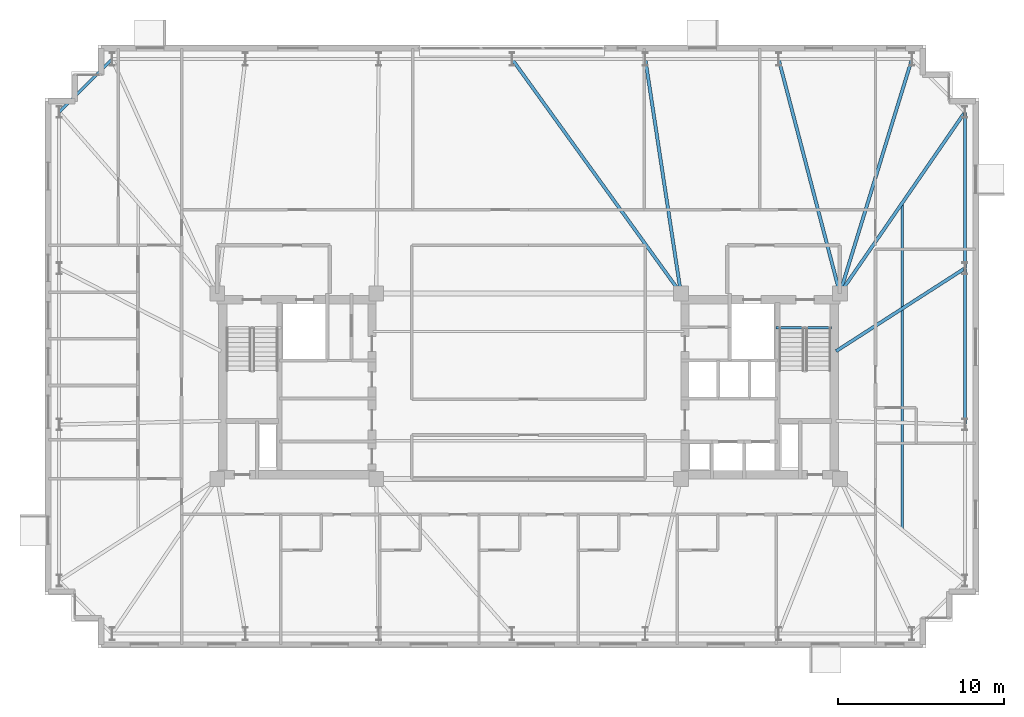
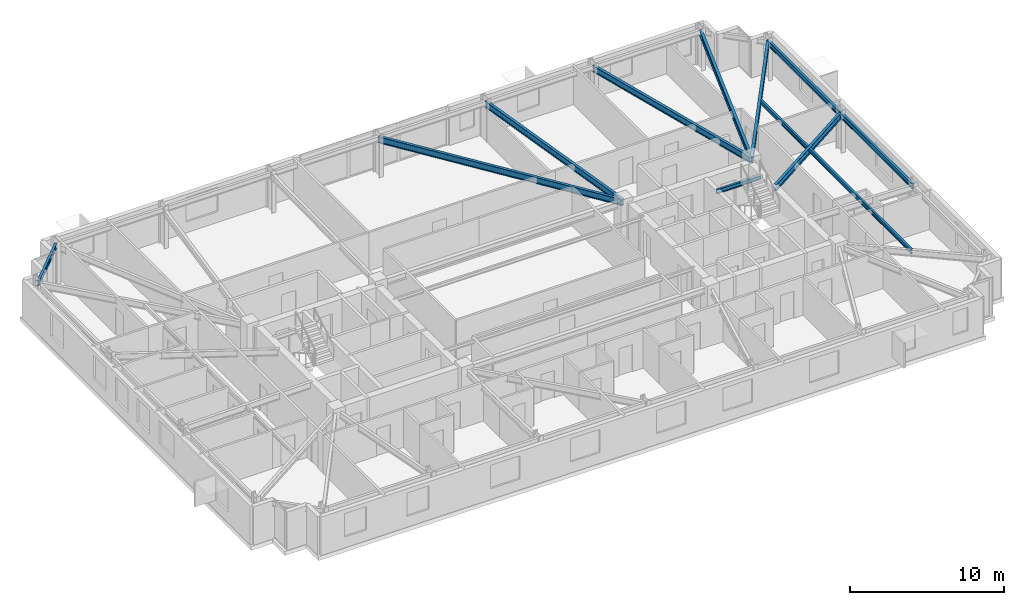
# One storey, part 6 of 18: 11 beams.
"""IFC4 building model written with IfcOpenShell, lengths in metres."""

from ifc_helpers import new_model, si_unit, direction, frame, origin, origin_2d, place, context, subcontext, project, spatial, i_section, extrude, material, material_profile, profile_set, type_object, element, save


model = new_model("IFC4")

# Units and contexts
model_context = context("Model", 3, precision=1e-05, world=origin(), true_north=direction((0.0, 1.0)))
body_context = subcontext(model_context, "Body", "Model", "MODEL_VIEW")
ifc_project = project(units=[si_unit("LENGTHUNIT", "METRE"), si_unit("AREAUNIT", "SQUARE_METRE"), si_unit("VOLUMEUNIT", "CUBIC_METRE"), si_unit("PLANEANGLEUNIT", "RADIAN"), si_unit("MASSUNIT", "GRAM", prefix="KILO")], contexts=[model_context])

# Site, building, storey
site_placement = place(None, origin())
site = spatial("IfcSite", under=ifc_project, at=site_placement, CompositionType="ELEMENT")
building_placement = place(site_placement, origin())
building = spatial("IfcBuilding", under=site, at=building_placement, Name="Qobustan Lattice House", CompositionType="ELEMENT")
storey_placement = place(building_placement, frame((0.0, 0.0, 154.449951171875)))
storey = spatial("IfcBuildingStorey", under=building, at=storey_placement, Name="L43", CompositionType="ELEMENT", Elevation=154.449951171875)

# Beams
ifc_material_1 = material(Name="Steel S355", Category="steel")
ifc_material_profile_1 = material_profile(ifc_material_1, i_section(OverallWidth=0.199951171875, OverallDepth=0.5, WebThickness=0.01025390625, FlangeThickness=0.01611328125, FilletRadius=0.02099609375, at=origin_2d()), Name="IPE500")
ifc_profile_set_1 = profile_set([ifc_material_profile_1], Name="Steel S355")
beam_type_1 = type_object("IfcBeamType", Name="BM-FLG-IPE500", PredefinedType="USERDEFINED", material=ifc_profile_set_1)
beam_1_placement = place(storey_placement, frame((-0.9853515625, 19.729736328125, 2.7900390625), z_axis=(0.584755393146, -0.811209670916, 0.0), x_axis=(0.811209670916, 0.584755393146, 0.0)))
element("IfcBeam", 1, at=beam_1_placement, inside=storey, type_object=beam_type_1, Name="L43 primary floor girder RAD-N4", ObjectType="GIRDER", PredefinedType="USERDEFINED", context=body_context, shape_type="SweptSolid", body=[
    extrude(i_section(OverallWidth=0.199951171875, OverallDepth=0.5, WebThickness=0.01025390625, FlangeThickness=0.01611328125, FilletRadius=0.02099609375, at=origin_2d()), origin(), (0.0, 0.0, 1.0), 17.39306640625),
])
beam_2_placement = place(storey_placement, frame((7.0537109375, 19.725341796875, 2.7900390625), z_axis=(0.150225226731, -0.988651799803, 0.0), x_axis=(0.988651799803, 0.150225226731, 0.0)))
element("IfcBeam", 2, at=beam_2_placement, inside=storey, type_object=beam_type_1, Name="L43 primary floor girder RAD-N3", ObjectType="GIRDER", PredefinedType="USERDEFINED", context=body_context, shape_type="SweptSolid", body=[
    extrude(i_section(OverallWidth=0.199951171875, OverallDepth=0.5, WebThickness=0.01025390625, FlangeThickness=0.01611328125, FilletRadius=0.02099609375, at=origin_2d()), origin(), (0.0, 0.0, 1.0), 14.262451171875),
])
beam_3_placement = place(storey_placement, frame((15.106201171875, 19.725830078125, 2.7900390625), z_axis=(0.252989153576, -0.967469114842, 0.0), x_axis=(0.967469114842, 0.252989153576, 0.0)))
element("IfcBeam", 3, at=beam_3_placement, inside=storey, type_object=beam_type_1, Name="L43 primary floor girder RAD-N2", ObjectType="GIRDER", PredefinedType="USERDEFINED", context=body_context, shape_type="SweptSolid", body=[
    extrude(i_section(OverallWidth=0.199951171875, OverallDepth=0.5, WebThickness=0.01025390625, FlangeThickness=0.01611328125, FilletRadius=0.02099609375, at=origin_2d()), origin(), (0.0, 0.0, 1.0), 14.57568359375),
])
beam_4_placement = place(storey_placement, frame((23.142578125, 19.72607421875, 2.7900390625), z_axis=(-0.293840483469, -0.955854471285, 0.0), x_axis=(0.955854471285, -0.293840483469, 0.0)))
element("IfcBeam", 4, at=beam_4_placement, inside=storey, type_object=beam_type_1, Name="L43 primary floor girder RAD-N1E", ObjectType="GIRDER", PredefinedType="USERDEFINED", context=body_context, shape_type="SweptSolid", body=[
    extrude(i_section(OverallWidth=0.199951171875, OverallDepth=0.5, WebThickness=0.01025390625, FlangeThickness=0.01611328125, FilletRadius=0.02099609375, at=origin_2d()), origin(), (0.0, 0.0, 1.0), 14.753662109375),
])
beam_5_placement = place(storey_placement, frame((26.335693359375, 16.529296875, 2.7900390625), z_axis=(-0.567643395011, -0.82327454479, 0.0), x_axis=(0.82327454479, -0.567643395011, 0.0)))
element("IfcBeam", 5, at=beam_5_placement, inside=storey, type_object=beam_type_1, Name="L43 primary floor girder RAD-E4", ObjectType="GIRDER", PredefinedType="USERDEFINED", context=body_context, shape_type="SweptSolid", body=[
    extrude(i_section(OverallWidth=0.199951171875, OverallDepth=0.5, WebThickness=0.01025390625, FlangeThickness=0.01611328125, FilletRadius=0.02099609375, at=origin_2d()), origin(), (0.0, 0.0, 1.0), 13.25048828125),
])
beam_6_placement = place(storey_placement, frame((26.3291015625, 7.103271484375, 2.7900390625), z_axis=(-0.841058920931, -0.540943519715, 0.0), x_axis=(0.540943519715, -0.841058920931, 0.0)))
element("IfcBeam", 6, at=beam_6_placement, inside=storey, type_object=beam_type_1, Name="L43 primary floor girder RAD-E3", ObjectType="GIRDER", PredefinedType="USERDEFINED", context=body_context, shape_type="SweptSolid", body=[
    extrude(i_section(OverallWidth=0.199951171875, OverallDepth=0.5, WebThickness=0.01025390625, FlangeThickness=0.01611328125, FilletRadius=0.02099609375, at=origin_2d()), origin(), (0.0, 0.0, 1.0), 9.22412109375),
])
ifc_material_2 = material(Name="Steel S355", Category="steel")
ifc_material_profile_2 = material_profile(ifc_material_2, i_section(OverallWidth=0.159912109375, OverallDepth=0.330078125, WebThickness=0.007568359375, FlangeThickness=0.011474609375, FilletRadius=0.01806640625, at=origin_2d()), Name="IPE330")
ifc_profile_set_2 = profile_set([ifc_material_profile_2], Name="Steel S355")
beam_type_2 = type_object("IfcBeamType", Name="BM-SEC-IPE330", PredefinedType="BEAM", material=ifc_profile_set_2)
beam_7_placement = place(storey_placement, frame((22.574951171875, 11.074951171875, 2.875), z_axis=(0.0, -1.0, 0.0), x_axis=(1.0, 0.0, 0.0)))
element("IfcBeam", 7, at=beam_7_placement, inside=storey, type_object=beam_type_2, Name="L43 east wing secondary beam", PredefinedType="BEAM", context=body_context, shape_type="SweptSolid", body=[
    extrude(i_section(OverallWidth=0.159912109375, OverallDepth=0.330078125, WebThickness=0.007568359375, FlangeThickness=0.011474609375, FilletRadius=0.01806640625, at=origin_2d()), origin(), (0.0, 0.0, 1.0), 19.75),
])
ifc_material_3 = material(Name="Steel S355", Category="steel")
ifc_material_profile_3 = material_profile(ifc_material_3, i_section(OverallWidth=0.159912109375, OverallDepth=0.330078125, WebThickness=0.007568359375, FlangeThickness=0.011474609375, FilletRadius=0.01806640625, at=origin_2d()), Name="IPE330")
ifc_profile_set_3 = profile_set([ifc_material_profile_3], Name="Steel S355")
beam_type_3 = type_object("IfcBeamType", Name="BM-SPD-IPE330", PredefinedType="SPANDREL", material=ifc_profile_set_3)
beam_8_placement = place(storey_placement, frame((14.949951171875, 3.52001953125, 2.875), z_axis=(1.0, 0.0, 0.0), x_axis=(0.0, 1.0, 0.0)))
element("IfcBeam", 8, at=beam_8_placement, inside=storey, type_object=beam_type_3, Name="L43 east stair landing trimmer beam", PredefinedType="SPANDREL", context=body_context, shape_type="SweptSolid", body=[
    extrude(i_section(OverallWidth=0.159912109375, OverallDepth=0.330078125, WebThickness=0.007568359375, FlangeThickness=0.011474609375, FilletRadius=0.01806640625, at=origin_2d()), origin(), (0.0, 0.0, 1.0), 3.35009765625),
])
ifc_material_4 = material(Name="Steel S355", Category="steel")
ifc_material_profile_4 = material_profile(ifc_material_4, i_section(OverallWidth=0.179931640625, OverallDepth=0.39990234375, WebThickness=0.008544921875, FlangeThickness=0.013427734375, FilletRadius=0.02099609375, at=origin_2d()), Name="IPE400")
ifc_profile_set_4 = profile_set([ifc_material_profile_4], Name="Steel S355")
beam_type_4 = type_object("IfcBeamType", Name="BM-SPD-IPE400", PredefinedType="SPANDREL", material=ifc_profile_set_4)
beam_9_placement = place(storey_placement, frame((26.35009765625, -2.291748046875, 2.840087890625), z_axis=(0.0, 1.0, 0.0), x_axis=(-1.0, 0.0, 0.0)))
element("IfcBeam", 9, at=beam_9_placement, inside=storey, type_object=beam_type_4, Name="L43 perimeter spandrel E2-E3", PredefinedType="SPANDREL", context=body_context, shape_type="SweptSolid", body=[
    extrude(i_section(OverallWidth=0.179931640625, OverallDepth=0.39990234375, WebThickness=0.008544921875, FlangeThickness=0.013427734375, FilletRadius=0.02099609375, at=origin_2d()), origin(), (0.0, 0.0, 1.0), 9.383544921875),
])
beam_10_placement = place(storey_placement, frame((26.35009765625, 7.1416015625, 2.840087890625), z_axis=(0.0, 1.0, 0.0), x_axis=(-1.0, 0.0, 0.0)))
element("IfcBeam", 10, at=beam_10_placement, inside=storey, type_object=beam_type_4, Name="L43 perimeter spandrel E3-E4", PredefinedType="SPANDREL", context=body_context, shape_type="SweptSolid", body=[
    extrude(i_section(OverallWidth=0.179931640625, OverallDepth=0.39990234375, WebThickness=0.008544921875, FlangeThickness=0.013427734375, FilletRadius=0.02099609375, at=origin_2d()), origin(), (0.0, 0.0, 1.0), 9.38330078125),
])
beam_11_placement = place(storey_placement, frame((-25.167724609375, 19.732421875, 2.840087890625), z_axis=(-0.707079505568, -0.707134055753, 0.0), x_axis=(0.707134055753, -0.707079505568, 0.0)))
element("IfcBeam", 11, at=beam_11_placement, inside=storey, type_object=beam_type_4, Name="L43 perimeter spandrel N7-W1", PredefinedType="SPANDREL", context=body_context, shape_type="SweptSolid", body=[
    extrude(i_section(OverallWidth=0.179931640625, OverallDepth=0.39990234375, WebThickness=0.008544921875, FlangeThickness=0.013427734375, FilletRadius=0.02099609375, at=origin_2d()), origin(), (0.0, 0.0, 1.0), 4.4755859375),
])

save(model, "model.ifc")
